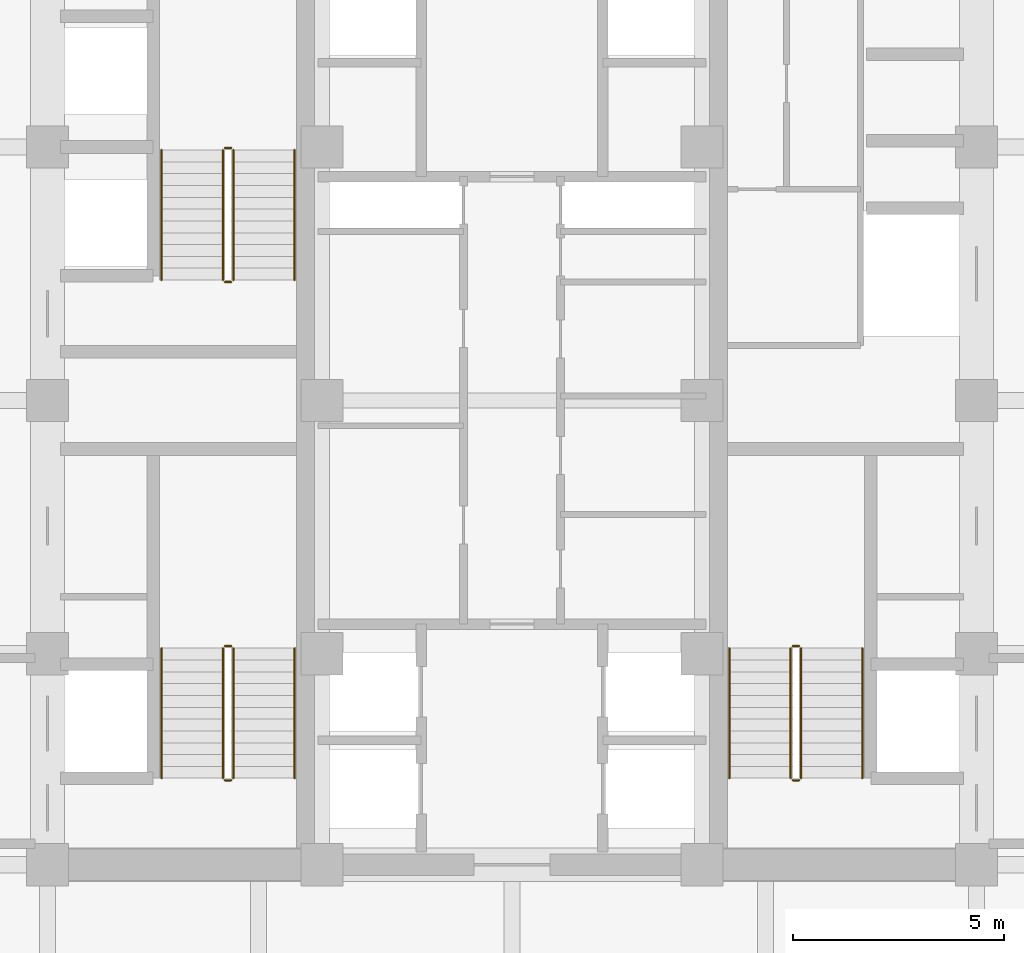
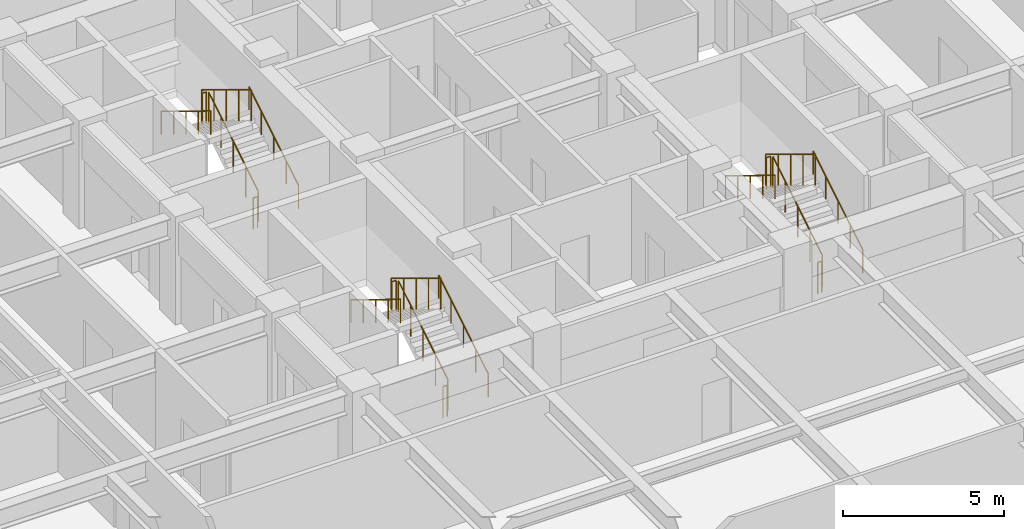
# One storey, part 28 of 28: 18 railings.
"""IFC4 building model written with IfcOpenShell, lengths in metres."""

from ifc_helpers import new_model, si_unit, direction, frame, origin, origin_2d, place, context, subcontext, project, spatial, circle, extrude, source, transform, mapped, material, type_object, element, save


model = new_model("IFC4")

# Units and contexts
model_context = context("Model", 3, precision=1e-05, world=origin(), true_north=direction((0.0, 1.0)))
body_context = subcontext(model_context, "Body", "Model", "MODEL_VIEW")
ifc_project = project(units=[si_unit("LENGTHUNIT", "METRE"), si_unit("AREAUNIT", "SQUARE_METRE"), si_unit("VOLUMEUNIT", "CUBIC_METRE"), si_unit("PLANEANGLEUNIT", "RADIAN"), si_unit("MASSUNIT", "GRAM", prefix="KILO")], contexts=[model_context])

# Site, building, storey
site_placement = place(None, origin())
site = spatial("IfcSite", under=ifc_project, at=site_placement, CompositionType="ELEMENT")
building_placement = place(site_placement, origin())
building = spatial("IfcBuilding", under=site, at=building_placement, Name="Khorayat Bourse Tower", CompositionType="ELEMENT")
storey_placement = place(building_placement, frame((0.0, 0.0, 116.0)))
storey = spatial("IfcBuildingStorey", under=building, at=storey_placement, Name="L26", CompositionType="ELEMENT", Elevation=116.0)

# Railings
ifc_material_1 = material(Name="Powder-coated steel balustrade", Category="steel")
railing_type_1 = type_object("IfcRailingType", Name="RLG-GUARD-1200", PredefinedType="GUARDRAIL", material=ifc_material_1)
shared_shape_1 = source(origin(), body_context, "Body", "SweptSolid", [
    extrude(circle(Radius=0.02392578125, at=origin_2d()), frame((0.0, 0.0, 1.17578125), z_axis=(-1.0, 0.0, 0.0), x_axis=(0.0, -1.0, 0.0)), (0.0, 0.0, 1.0), 0.150146484375),
    extrude(circle(Radius=0.02099609375, at=origin_2d()), origin(), (0.0, 0.0, 1.0), 1.15185546875),
    extrude(circle(Radius=0.02099609375, at=origin_2d()), frame((-0.150146484375, 0.0, 0.0)), (0.0, 0.0, 1.0), 1.15185546875),
])
for number, where, name in (
    (1, (-6.64990234375, -5.820068359375, 2.050048828125), "L26 ST-1 stair guard 2"),
    (2, (-6.64990234375, -9.0, 0.0), "L26 ST-1 stair guard 4"),
    (3, (-6.64990234375, 5.97998046875, 2.050048828125), "L26 ST-2 stair guard 2"),
    (4, (-6.64990234375, 2.800048828125, 0.0), "L26 ST-2 stair guard 4"),
    (5, (6.800048828125, -5.820068359375, 2.050048828125), "L26 ST-3 stair guard 2"),
    (6, (6.800048828125, -9.0, 0.0), "L26 ST-3 stair guard 4"),
):
    element("IfcRailing", number, at=place(storey_placement, frame(where)), inside=storey, type_object=railing_type_1, Name=name, PredefinedType="GUARDRAIL", context=body_context, shape_type="MappedRepresentation", body=[
        mapped(shared_shape_1, transform((0.0, 0.0, 0.0), scale=1.0)),
    ])
shared_shape_2 = source(origin(), body_context, "Body", "SweptSolid", [
    extrude(circle(Radius=0.02392578125, at=origin_2d()), frame((0.0, 0.0, 1.17578125), z_axis=(0.0, 0.853647949592, 0.520850437417), x_axis=(-1.0, 0.0, 0.0)), (0.0, 0.0, 1.0), 3.60791015625),
    extrude(circle(Radius=0.02099609375, at=origin_2d()), origin(), (0.0, 0.0, 1.0), 1.15185546875),
    extrude(circle(Radius=0.02099609375, at=origin_2d()), frame((0.0, 0.77001953125, 0.4697265625)), (0.0, 0.0, 1.0), 1.15185546875),
    extrude(circle(Radius=0.02099609375, at=origin_2d()), frame((0.0, 1.5400390625, 0.939453125)), (0.0, 0.0, 1.0), 1.15185546875),
    extrude(circle(Radius=0.02099609375, at=origin_2d()), frame((0.0, 2.309814453125, 1.409423828125)), (0.0, 0.0, 1.0), 1.15185546875),
    extrude(circle(Radius=0.02099609375, at=origin_2d()), frame((0.0, 3.079833984375, 1.879150390625)), (0.0, 0.0, 1.0), 1.15185546875),
])
for number, where, name in (
    (7, (-6.60009765625, -8.949951171875, 0.1708984375), "L26 ST-1 stair guard 1"),
    (8, (-6.60009765625, 2.85009765625, 0.1708984375), "L26 ST-2 stair guard 1"),
    (9, (6.85009765625, -8.949951171875, 0.1708984375), "L26 ST-3 stair guard 1"),
):
    element("IfcRailing", number, at=place(storey_placement, frame(where)), inside=storey, type_object=railing_type_1, Name=name, PredefinedType="GUARDRAIL", context=body_context, shape_type="MappedRepresentation", body=[
        mapped(shared_shape_2, transform((0.0, 0.0, 0.0), scale=1.0)),
    ])
shared_shape_3 = source(origin(), body_context, "Body", "SweptSolid", [
    extrude(circle(Radius=0.02392578125, at=origin_2d()), frame((0.0, 0.0, 1.17578125), z_axis=(0.0, -0.853647949592, 0.520850437417), x_axis=(1.0, 0.0, 0.0)), (0.0, 0.0, 1.0), 3.60791015625),
    extrude(circle(Radius=0.02099609375, at=origin_2d()), origin(), (0.0, 0.0, 1.0), 1.15185546875),
    extrude(circle(Radius=0.02099609375, at=origin_2d()), frame((0.0, -0.77001953125, 0.4697265625)), (0.0, 0.0, 1.0), 1.15185546875),
    extrude(circle(Radius=0.02099609375, at=origin_2d()), frame((0.0, -1.5400390625, 0.939453125)), (0.0, 0.0, 1.0), 1.15185546875),
    extrude(circle(Radius=0.02099609375, at=origin_2d()), frame((0.0, -2.309814453125, 1.409423828125)), (0.0, 0.0, 1.0), 1.15185546875),
    extrude(circle(Radius=0.02099609375, at=origin_2d()), frame((0.0, -3.079833984375, 1.879150390625)), (0.0, 0.0, 1.0), 1.15185546875),
])
for number, where, name in (
    (10, (-6.85009765625, -5.8701171875, 2.220947265625), "L26 ST-1 stair guard 3"),
    (11, (-6.85009765625, 5.929931640625, 2.220947265625), "L26 ST-2 stair guard 3"),
    (12, (6.60009765625, -5.8701171875, 2.220947265625), "L26 ST-3 stair guard 3"),
):
    element("IfcRailing", number, at=place(storey_placement, frame(where)), inside=storey, type_object=railing_type_1, Name=name, PredefinedType="GUARDRAIL", context=body_context, shape_type="MappedRepresentation", body=[
        mapped(shared_shape_3, transform((0.0, 0.0, 0.0), scale=1.0)),
    ])
ifc_material_2 = material(Name="Brushed bronze stainless-steel handrail", Category="steel")
railing_type_2 = type_object("IfcRailingType", Name="RLG-HAND-900", PredefinedType="HANDRAIL", material=ifc_material_2)
shared_shape_4 = source(origin(), body_context, "Body", "SweptSolid", [
    extrude(circle(Radius=0.02392578125, at=origin_2d()), frame((0.0, 0.0, 0.8759765625), z_axis=(0.0, 0.853647949592, 0.520850437417), x_axis=(-1.0, 0.0, 0.0)), (0.0, 0.0, 1.0), 3.60791015625),
    extrude(circle(Radius=0.02099609375, at=origin_2d()), origin(), (0.0, 0.0, 1.0), 0.851806640625),
    extrude(circle(Radius=0.02099609375, at=origin_2d()), frame((0.0, 0.77001953125, 0.4697265625)), (0.0, 0.0, 1.0), 0.851806640625),
    extrude(circle(Radius=0.02099609375, at=origin_2d()), frame((0.0, 1.5400390625, 0.939453125)), (0.0, 0.0, 1.0), 0.851806640625),
    extrude(circle(Radius=0.02099609375, at=origin_2d()), frame((0.0, 2.309814453125, 1.409423828125)), (0.0, 0.0, 1.0), 0.851806640625),
    extrude(circle(Radius=0.02099609375, at=origin_2d()), frame((0.0, 3.079833984375, 1.879150390625)), (0.0, 0.0, 1.0), 0.851806640625),
])
for number, where, name in (
    (13, (-5.14990234375, -8.949951171875, 0.1708984375), "L26 ST-1 stair handrail 1"),
    (14, (-5.14990234375, 2.85009765625, 0.1708984375), "L26 ST-2 stair handrail 1"),
    (15, (8.300048828125, -8.949951171875, 0.1708984375), "L26 ST-3 stair handrail 1"),
):
    element("IfcRailing", number, at=place(storey_placement, frame(where)), inside=storey, type_object=railing_type_2, Name=name, PredefinedType="HANDRAIL", context=body_context, shape_type="MappedRepresentation", body=[
        mapped(shared_shape_4, transform((0.0, 0.0, 0.0), scale=1.0)),
    ])
shared_shape_5 = source(origin(), body_context, "Body", "SweptSolid", [
    extrude(circle(Radius=0.02392578125, at=origin_2d()), frame((0.0, 0.0, 0.8759765625), z_axis=(0.0, -0.853647949592, 0.520850437417), x_axis=(1.0, 0.0, 0.0)), (0.0, 0.0, 1.0), 3.60791015625),
    extrude(circle(Radius=0.02099609375, at=origin_2d()), origin(), (0.0, 0.0, 1.0), 0.851806640625),
    extrude(circle(Radius=0.02099609375, at=origin_2d()), frame((0.0, -0.77001953125, 0.4697265625)), (0.0, 0.0, 1.0), 0.851806640625),
    extrude(circle(Radius=0.02099609375, at=origin_2d()), frame((0.0, -1.5400390625, 0.939453125)), (0.0, 0.0, 1.0), 0.851806640625),
    extrude(circle(Radius=0.02099609375, at=origin_2d()), frame((0.0, -2.309814453125, 1.409423828125)), (0.0, 0.0, 1.0), 0.851806640625),
    extrude(circle(Radius=0.02099609375, at=origin_2d()), frame((0.0, -3.079833984375, 1.879150390625)), (0.0, 0.0, 1.0), 0.851806640625),
])
for number, where, name in (
    (16, (-8.300048828125, -5.8701171875, 2.220947265625), "L26 ST-1 stair handrail 2"),
    (17, (-8.300048828125, 5.929931640625, 2.220947265625), "L26 ST-2 stair handrail 2"),
    (18, (5.14990234375, -5.8701171875, 2.220947265625), "L26 ST-3 stair handrail 2"),
):
    element("IfcRailing", number, at=place(storey_placement, frame(where)), inside=storey, type_object=railing_type_2, Name=name, PredefinedType="HANDRAIL", context=body_context, shape_type="MappedRepresentation", body=[
        mapped(shared_shape_5, transform((0.0, 0.0, 0.0), scale=1.0)),
    ])

save(model, "model.ifc")
